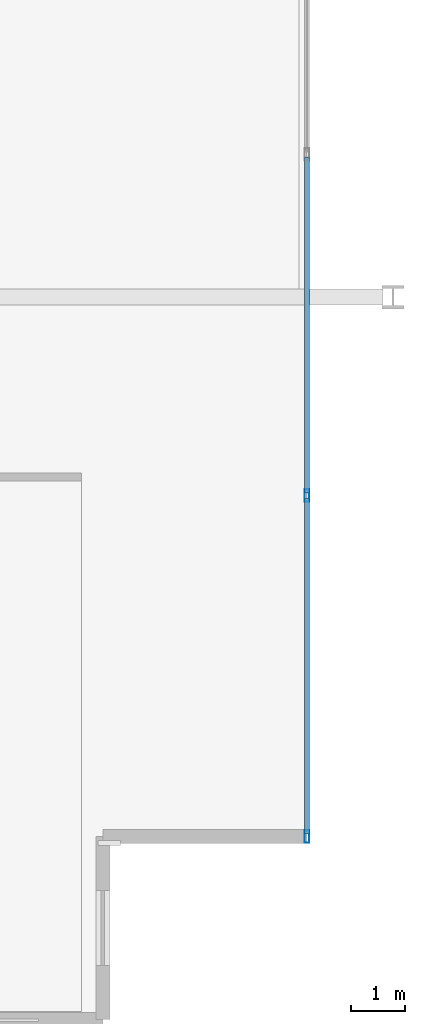
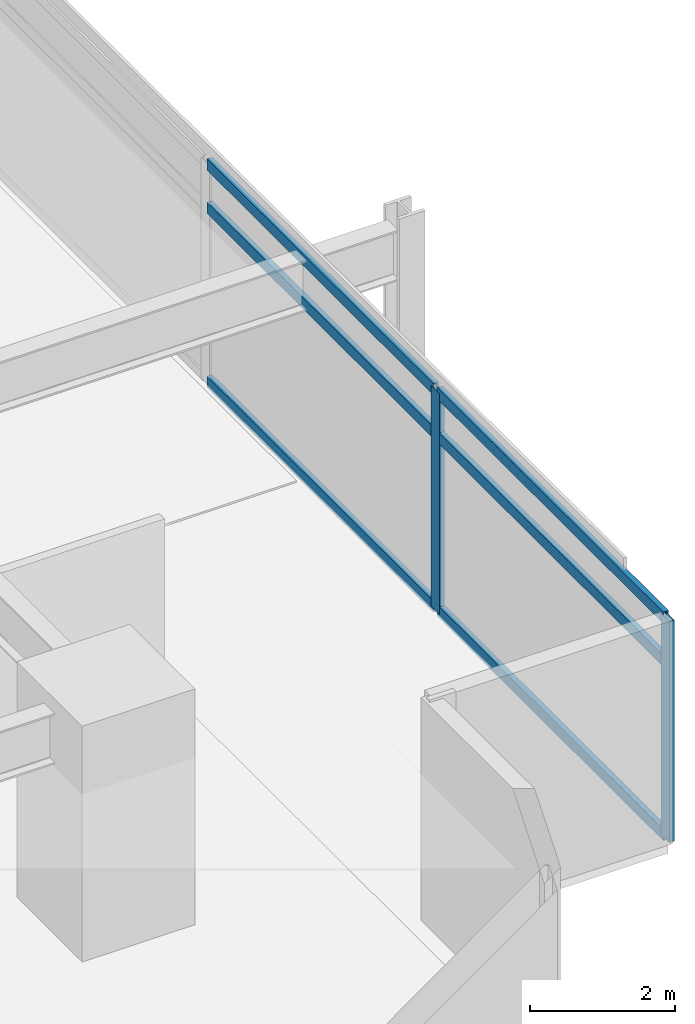
# One storey, part 8 of 25: 8 members, 1 element without a shape of its own.
"""IFC4 building model written with IfcOpenShell, lengths in metres."""

import ifcopenshell
import ifcopenshell.guid

model = None  # the IFC model being written
_history = None  # IfcOwnerHistory: only IFC2X3 demands one
_inside = {}  # id of a spatial element -> (the spatial element, [elements in it])
_under = {}  # id of a project, library or spatial element -> (it, [spatial elements below it])
_declared = {}  # id of a project -> (the project, [libraries it declares])
_typed = {}  # id of a type object -> (the type object, [elements of that type])
_made_of = {}  # id of a material, layer set ... -> (it, [elements and type objects made of it])


def new_model(schema):
    """Start an empty IFC model of exactly this schema.

    Asked for "IFC4X3", IfcOpenShell would pick the latest addendum, in which some entities
    have other attributes; the version numbers below select the first issue.
    IFC2X3 requires an IfcOwnerHistory on every rooted entity: one is made here for all.
    """
    global model, _history
    if schema == "IFC4X3":
        model = ifcopenshell.file(schema_version=(4, 3, 0, 0))
    else:
        model = ifcopenshell.file(schema=schema)
    _inside.clear()
    _under.clear()
    _declared.clear()
    _typed.clear()
    _made_of.clear()
    _history = None
    if model.schema == "IFC2X3":
        org = make("IfcOrganization", Name="unknown")
        user = make(
            "IfcPersonAndOrganization",
            ThePerson=make("IfcPerson", FamilyName="unknown"),
            TheOrganization=org,
        )
        app = make(
            "IfcApplication",
            ApplicationDeveloper=org,
            Version="unknown",
            ApplicationFullName="unknown",
            ApplicationIdentifier="unknown",
        )
        _history = make(
            "IfcOwnerHistory",
            OwningUser=user,
            OwningApplication=app,
            ChangeAction="ADDED",
            CreationDate=0,
        )
    return model


def make(cls, **values):
    """One entity of the class cls with the attributes given. An attribute that is None is left unset."""
    return model.create_entity(
        cls, **{name: value for name, value in values.items() if value is not None}
    )


def rooted(cls, **values):
    """An entity with a GlobalId (a new one), such as an element, a storey or a relation."""
    return make(cls, GlobalId=ifcopenshell.guid.new(), OwnerHistory=_history, **values)


def si_unit(unit_type, name, prefix=None):
    """IfcSIUnit, for example si_unit("LENGTHUNIT", "METRE", prefix="MILLI")."""
    return make("IfcSIUnit", UnitType=unit_type, Prefix=prefix, Name=name)


def assignment(units):
    """IfcUnitAssignment: the units of a project."""
    return None if units is None else make("IfcUnitAssignment", Units=units)


def point(xyz):
    """IfcCartesianPoint."""
    return None if xyz is None else make("IfcCartesianPoint", Coordinates=xyz)


def direction(xyz):
    """IfcDirection."""
    return None if xyz is None else make("IfcDirection", DirectionRatios=xyz)


def frame(location, z_axis=None, x_axis=None):
    """IfcAxis2Placement3D, a coordinate frame: its origin and axes. An axis left out is left unset."""
    return make(
        "IfcAxis2Placement3D",
        Location=point(location),
        Axis=direction(z_axis),
        RefDirection=direction(x_axis),
    )


def frame_2d(location, x_axis=None):
    """IfcAxis2Placement2D, a coordinate frame in the plane: its origin and x axis."""
    return make(
        "IfcAxis2Placement2D", Location=point(location), RefDirection=direction(x_axis)
    )


def origin():
    """The frame at (0, 0, 0) with its axes left unset."""
    return frame((0.0, 0.0, 0.0))


def origin_2d():
    """The frame at (0, 0) in the plane with its x axis left unset."""
    return frame_2d((0.0, 0.0))


def place(relative_to, where):
    """IfcLocalPlacement: puts the frame where relative to a parent placement (None: the world)."""
    return make(
        "IfcLocalPlacement", PlacementRelTo=relative_to, RelativePlacement=where
    )


def context(
    kind, dimensions, precision=None, world=None, true_north=None, identifier=None
):
    """IfcGeometricRepresentationContext, for example the 3D "Model" context."""
    return make(
        "IfcGeometricRepresentationContext",
        ContextIdentifier=identifier,
        ContextType=kind,
        CoordinateSpaceDimension=dimensions,
        Precision=precision,
        WorldCoordinateSystem=world,
        TrueNorth=true_north,
    )


def subcontext(parent, identifier, kind, view, scale=None):
    """IfcGeometricRepresentationSubContext, for example "Body" below "Model"."""
    return make(
        "IfcGeometricRepresentationSubContext",
        ContextIdentifier=identifier,
        ContextType=kind,
        ParentContext=parent,
        TargetScale=scale,
        TargetView=view,
    )


def project(units=None, contexts=None):
    """IfcProject with its units and contexts."""
    return rooted(
        "IfcProject",
        Name="project",
        RepresentationContexts=contexts,
        UnitsInContext=assignment(units),
    )


def spatial(cls, under=None, at=None, **own):
    """A site, building, storey or space (cls), placed at a placement, below another one or the project."""
    s = rooted(cls, ObjectPlacement=at, **own)
    if under is not None:
        _under.setdefault(under.id(), (under, []))[1].append(s)
    return s


def profile(cls, at=None, kind="AREA", **sizes):
    """A parametric profile (cls). Its sizes go by their IFC names, for example OverallWidth=200.0."""
    return make(cls, ProfileType=kind, Position=at, **sizes)


def hollow_rectangle(**sizes):
    """IfcRectangleHollowProfileDef."""
    return profile("IfcRectangleHollowProfileDef", **sizes)


def extrude(swept, where, along, depth):
    """IfcExtrudedAreaSolid: the profile swept, set in the frame where, extruded along a direction by depth."""
    return make(
        "IfcExtrudedAreaSolid",
        SweptArea=swept,
        Position=where,
        ExtrudedDirection=direction(along),
        Depth=depth,
    )


def shape(context_of_items, identifier, shape_type, items):
    """IfcShapeRepresentation: the items that make up one representation, for example the "Body"."""
    return make(
        "IfcShapeRepresentation",
        ContextOfItems=context_of_items,
        RepresentationIdentifier=identifier,
        RepresentationType=shape_type,
        Items=items,
    )


def material(Name=None, Category=None):
    """IfcMaterial."""
    return make("IfcMaterial", Name=Name, Category=Category)


def material_profile(
    of_material, cross_section, Name=None, Category=None, Priority=None
):
    """IfcMaterialProfile: a cross section and its material."""
    return make(
        "IfcMaterialProfile",
        Name=Name,
        Material=of_material,
        Profile=cross_section,
        Priority=Priority,
        Category=Category,
    )


def profile_set(profiles, Name=None, composite=None):
    """IfcMaterialProfileSet."""
    return make(
        "IfcMaterialProfileSet",
        Name=Name,
        MaterialProfiles=profiles,
        CompositeProfile=composite,
    )


def made_of(thing, what):
    """Note that an element or type object is made of a material, layer set ...; save() writes the relation."""
    if what is not None:
        _made_of.setdefault(what.id(), (what, []))[1].append(thing)
    return thing


def type_object(cls, material=None, **own):
    """A type object (cls), such as IfcWallType, which elements share."""
    return made_of(rooted(cls, **own), material)


def element(
    cls,
    number,
    at=None,
    inside=None,
    cuts=None,
    type_object=None,
    material=None,
    context=None,
    identifier="Body",
    shape_type=None,
    held_by="IfcProductDefinitionShape",
    body=None,
    shapes=None,
    **own,
):
    """One element of the class cls, such as IfcWall. Its Tag is "e" and its number.

    at: its placement. inside: the storey or other place that contains it. cuts: it is an
    opening in that element (IfcRelVoidsElement). A single representation is given by context,
    identifier, shape_type and body (its items); several are given by shapes. held_by: the class
    of the entity that holds the representations. save() writes the other relations.
    """
    e = rooted(cls, Tag="e%d" % number, ObjectPlacement=at, **own)
    if body is not None:
        shapes = [shape(context, identifier, shape_type, body)]
    if shapes is not None:
        e.Representation = make(held_by, Representations=shapes)
    if inside is not None:
        _inside.setdefault(inside.id(), (inside, []))[1].append(e)
    if cuts is not None:
        rooted(
            "IfcRelVoidsElement", RelatingBuildingElement=cuts, RelatedOpeningElement=e
        )
    if type_object is not None:
        _typed.setdefault(type_object.id(), (type_object, []))[1].append(e)
    return made_of(e, material)


def aggregate(whole, parts):
    """IfcRelAggregates: a whole, such as a stair, and the parts it consists of."""
    return rooted("IfcRelAggregates", RelatingObject=whole, RelatedObjects=parts)


def save(model, path):
    """Write the relations noted so far, then the file.

    IfcRelAggregates (storeys below a building ...), IfcRelContainedInSpatialStructure (elements
    in a storey), IfcRelDefinesByType, IfcRelAssociatesMaterial and IfcRelDeclares: one each for
    every whole, place, type object, material and project.
    """
    for whole, parts in _under.values():
        aggregate(whole, parts)
    for where, things in _inside.values():
        rooted(
            "IfcRelContainedInSpatialStructure",
            RelatedElements=things,
            RelatingStructure=where,
        )
    for kind, things in _typed.values():
        rooted("IfcRelDefinesByType", RelatedObjects=things, RelatingType=kind)
    for what, things in _made_of.values():
        rooted("IfcRelAssociatesMaterial", RelatedObjects=things, RelatingMaterial=what)
    for by, libraries in _declared.values():
        rooted("IfcRelDeclares", RelatingContext=by, RelatedDefinitions=libraries)
    model.write(path)


model = new_model("IFC4")

# Units and contexts
model_context = context("Model", 3, precision=1e-05, world=origin(), true_north=direction((0.0, 1.0)))
body_context = subcontext(model_context, "Body", "Model", "MODEL_VIEW")
ifc_project = project(units=[si_unit("LENGTHUNIT", "METRE"), si_unit("AREAUNIT", "SQUARE_METRE"), si_unit("VOLUMEUNIT", "CUBIC_METRE"), si_unit("PLANEANGLEUNIT", "RADIAN"), si_unit("MASSUNIT", "GRAM", prefix="KILO")], contexts=[model_context])

# Site, building, storey
site_placement = place(None, origin())
site = spatial("IfcSite", under=ifc_project, at=site_placement, CompositionType="ELEMENT")
building_placement = place(site_placement, origin())
building = spatial("IfcBuilding", under=site, at=building_placement, Name="Kovane Verandah Tower", CompositionType="ELEMENT")
storey_placement = place(building_placement, frame((0.0, 0.0, 67.60009765625)))
storey = spatial("IfcBuildingStorey", under=building, at=storey_placement, Name="L15", CompositionType="ELEMENT", Elevation=67.60009765625)

# Curtain wall, members
ifc_material_1 = material(Name="Champagne Anodised Aluminium Frame with Low-E Clear Laminated Glass", Category="aluminium")
curtain_wall_type = type_object("IfcCurtainWallType", Name="CW-SYS-02-LOW", PredefinedType="NOTDEFINED", material=ifc_material_1)
curtain_wall_placement = place(storey_placement, origin())
curtain_wall = element("IfcCurtainWall", 1, at=curtain_wall_placement, inside=storey, type_object=curtain_wall_type, Name="L15 E Unitised Curtain Wall", PredefinedType="NOTDEFINED")
ifc_material_2 = material(Name="Champagne Anodised Aluminium 6063-T6", Category="aluminium")
ifc_material_profile_1 = material_profile(ifc_material_2, hollow_rectangle(XDim=0.0849609375, YDim=0.22998046875, WallThickness=0.00390625, at=origin_2d()), Name="AL85x230x4")
ifc_profile_set_1 = profile_set([ifc_material_profile_1], Name="Champagne Anodised Aluminium 6063-T6")
member_type_1 = type_object("IfcMemberType", Name="CW-MUL-85x230", PredefinedType="MULLION", material=ifc_profile_set_1)
member_1_placement = place(storey_placement, frame((66.001220703125, 8.459228515625, 0.02001953125), z_axis=(0.0, 0.0, 1.0), x_axis=(1.0, 0.0, 0.0)))
member_1 = element("IfcMember", 2, at=member_1_placement, type_object=member_type_1, Name="L15 E Unitised Curtain Wall Mullion 1", PredefinedType="MULLION", context=body_context, shape_type="SweptSolid", body=[
    extrude(hollow_rectangle(XDim=0.0849609375, YDim=0.22998046875, WallThickness=0.00390625, at=origin_2d()), origin(), (0.0, 0.0, 1.0), 3.719970703125),
])
member_2_placement = place(storey_placement, frame((66.001220703125, 14.80615234375, 0.02001953125), z_axis=(0.0, 0.0, 1.0), x_axis=(1.0, 0.0, 0.0)))
member_2 = element("IfcMember", 3, at=member_2_placement, type_object=member_type_1, Name="L15 E Unitised Curtain Wall Mullion 2", PredefinedType="MULLION", context=body_context, shape_type="SweptSolid", body=[
    extrude(hollow_rectangle(XDim=0.0849609375, YDim=0.22998046875, WallThickness=0.00390625, at=origin_2d()), origin(), (0.0, 0.0, 1.0), 3.719970703125),
])
ifc_material_profile_2 = material_profile(ifc_material_2, hollow_rectangle(XDim=0.0849609375, YDim=0.18994140625, WallThickness=0.00390625, at=origin_2d()), Name="AL85x190x4")
ifc_profile_set_2 = profile_set([ifc_material_profile_2], Name="Champagne Anodised Aluminium 6063-T6")
member_type_2 = type_object("IfcMemberType", Name="CW-TRN-85x190", PredefinedType="USERDEFINED", material=ifc_profile_set_2)
member_3_placement = place(storey_placement, frame((66.001220703125, 8.50927734375, 0.0498046875), z_axis=(0.0, 1.0, 0.0), x_axis=(-1.0, 0.0, 0.0)))
member_3 = element("IfcMember", 4, at=member_3_placement, type_object=member_type_2, Name="L15 E Unitised Curtain Wall Transom TB Bay 1", ObjectType="TRANSOM", PredefinedType="USERDEFINED", context=body_context, shape_type="SweptSolid", body=[
    extrude(hollow_rectangle(XDim=0.0849609375, YDim=0.18994140625, WallThickness=0.00390625, at=origin_2d()), origin(), (0.0, 0.0, 1.0), 6.246826171875),
])
member_4_placement = place(storey_placement, frame((66.001220703125, 8.50927734375, 2.97998046875), z_axis=(0.0, 1.0, 0.0), x_axis=(-1.0, 0.0, 0.0)))
member_4 = element("IfcMember", 5, at=member_4_placement, type_object=member_type_2, Name="L15 E Unitised Curtain Wall Transom TM Bay 1", ObjectType="TRANSOM", PredefinedType="USERDEFINED", context=body_context, shape_type="SweptSolid", body=[
    extrude(hollow_rectangle(XDim=0.0849609375, YDim=0.18994140625, WallThickness=0.00390625, at=origin_2d()), origin(), (0.0, 0.0, 1.0), 6.246826171875),
])
member_5_placement = place(storey_placement, frame((66.001220703125, 8.50927734375, 3.7099609375), z_axis=(0.0, 1.0, 0.0), x_axis=(-1.0, 0.0, 0.0)))
member_5 = element("IfcMember", 6, at=member_5_placement, type_object=member_type_2, Name="L15 E Unitised Curtain Wall Transom TT Bay 1", ObjectType="TRANSOM", PredefinedType="USERDEFINED", context=body_context, shape_type="SweptSolid", body=[
    extrude(hollow_rectangle(XDim=0.0849609375, YDim=0.18994140625, WallThickness=0.00390625, at=origin_2d()), origin(), (0.0, 0.0, 1.0), 6.246826171875),
])
member_6_placement = place(storey_placement, frame((66.001220703125, 14.856201171875, 0.0498046875), z_axis=(0.0, 1.0, 0.0), x_axis=(-1.0, 0.0, 0.0)))
member_6 = element("IfcMember", 7, at=member_6_placement, type_object=member_type_2, Name="L15 E Unitised Curtain Wall Transom TB Bay 2", ObjectType="TRANSOM", PredefinedType="USERDEFINED", context=body_context, shape_type="SweptSolid", body=[
    extrude(hollow_rectangle(XDim=0.0849609375, YDim=0.18994140625, WallThickness=0.00390625, at=origin_2d()), origin(), (0.0, 0.0, 1.0), 6.246826171875),
])
member_7_placement = place(storey_placement, frame((66.001220703125, 14.856201171875, 2.97998046875), z_axis=(0.0, 1.0, 0.0), x_axis=(-1.0, 0.0, 0.0)))
member_7 = element("IfcMember", 8, at=member_7_placement, type_object=member_type_2, Name="L15 E Unitised Curtain Wall Transom TM Bay 2", ObjectType="TRANSOM", PredefinedType="USERDEFINED", context=body_context, shape_type="SweptSolid", body=[
    extrude(hollow_rectangle(XDim=0.0849609375, YDim=0.18994140625, WallThickness=0.00390625, at=origin_2d()), origin(), (0.0, 0.0, 1.0), 6.246826171875),
])
member_8_placement = place(storey_placement, frame((66.001220703125, 14.856201171875, 3.7099609375), z_axis=(0.0, 1.0, 0.0), x_axis=(-1.0, 0.0, 0.0)))
member_8 = element("IfcMember", 9, at=member_8_placement, type_object=member_type_2, Name="L15 E Unitised Curtain Wall Transom TT Bay 2", ObjectType="TRANSOM", PredefinedType="USERDEFINED", context=body_context, shape_type="SweptSolid", body=[
    extrude(hollow_rectangle(XDim=0.0849609375, YDim=0.18994140625, WallThickness=0.00390625, at=origin_2d()), origin(), (0.0, 0.0, 1.0), 6.246826171875),
])
aggregate(curtain_wall, [member_1, member_2, member_3, member_4, member_5, member_6, member_7, member_8])

save(model, "model.ifc")
